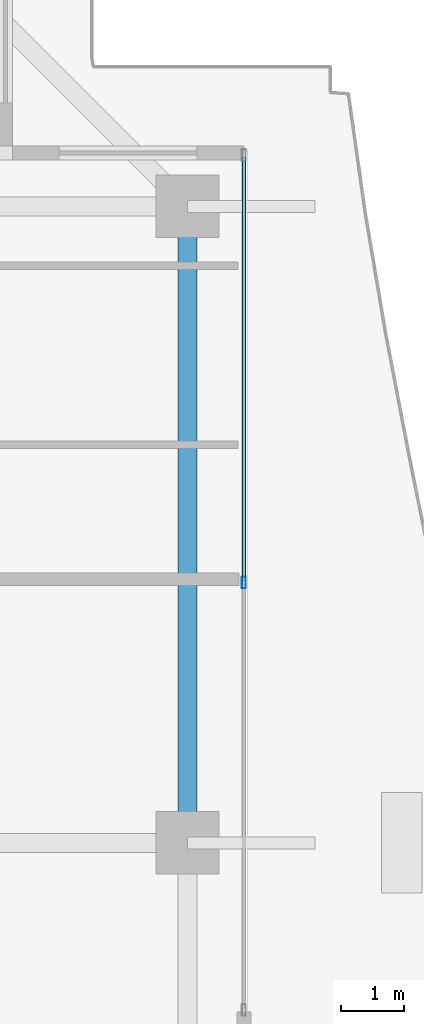
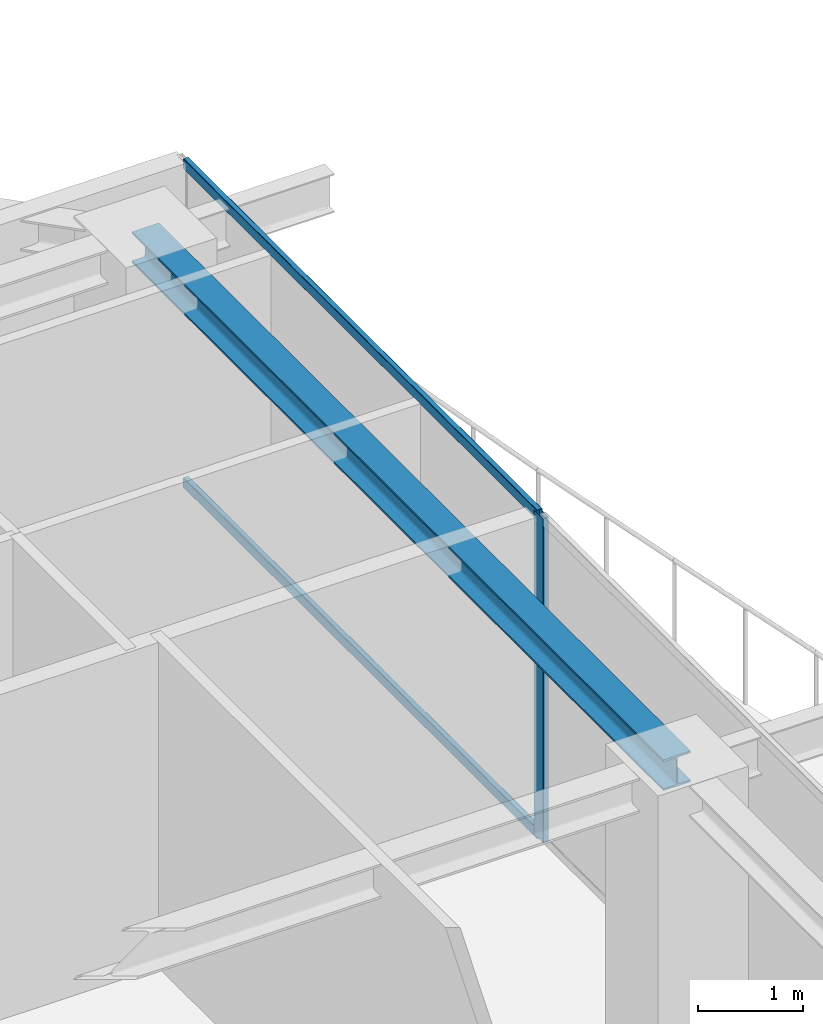
# One storey, part 25 of 41: 3 members, 1 beam, 1 element without a shape of its own.
"""IFC4 building model written with IfcOpenShell, lengths in metres."""

from ifc_helpers import new_model, si_unit, direction, frame, origin, origin_2d, place, context, subcontext, project, spatial, hollow_rectangle, i_section, extrude, source, transform, mapped, material, layer, layer_set, material_profile, profile_set, type_object, element, aggregate, save


model = new_model("IFC4")

# Units and contexts
model_context = context("Model", 3, precision=1e-05, world=origin(), true_north=direction((0.0, 1.0)))
body_context = subcontext(model_context, "Body", "Model", "MODEL_VIEW")
ifc_project = project(units=[si_unit("LENGTHUNIT", "METRE"), si_unit("AREAUNIT", "SQUARE_METRE"), si_unit("VOLUMEUNIT", "CUBIC_METRE"), si_unit("PLANEANGLEUNIT", "RADIAN"), si_unit("MASSUNIT", "GRAM", prefix="KILO")], contexts=[model_context])

# Site, building, storey
site_placement = place(None, origin())
site = spatial("IfcSite", under=ifc_project, at=site_placement, CompositionType="ELEMENT")
building_placement = place(site_placement, origin())
building = spatial("IfcBuilding", under=site, at=building_placement, Name="Serunith Strait Residences", CompositionType="ELEMENT")
storey_placement = place(building_placement, frame((0.0, 0.0, 301.550048828125)))
storey = spatial("IfcBuildingStorey", under=building, at=storey_placement, Name="L75", CompositionType="ELEMENT", Elevation=301.550048828125)

# Beam
ifc_material_1 = material(Name="Steel S355J2", Category="steel")
ifc_material_profile_1 = material_profile(ifc_material_1, i_section(OverallWidth=0.300048828125, OverallDepth=0.360107421875, WebThickness=0.012451171875, FlangeThickness=0.0224609375, FilletRadius=0.027099609375, at=origin_2d()), Name="HEB 360")
ifc_profile_set_1 = profile_set([ifc_material_profile_1], Name="Steel S355J2")
beam_type = type_object("IfcBeamType", Name="BM-HEB360", PredefinedType="BEAM", material=ifc_profile_set_1)
shared_shape_1 = source(origin(), body_context, "Body", "SweptSolid", [
    extrude(i_section(OverallWidth=0.300048828125, OverallDepth=0.360107421875, WebThickness=0.012451171875, FlangeThickness=0.0224609375, FilletRadius=0.027099609375, at=origin_2d()), origin(), (0.0, 0.0, 1.0), 10.150146484375),
])
beam_placement = place(storey_placement, frame((54.699951171875, 29.39990234375, 3.60693359375), z_axis=(0.0, 1.0, 0.0), x_axis=(-1.0, 0.0, 0.0)))
element("IfcBeam", 1, at=beam_placement, inside=storey, type_object=beam_type, Name="L75 Perimeter Ring Beam 07", PredefinedType="BEAM", context=body_context, shape_type="MappedRepresentation", body=[
    mapped(shared_shape_1, transform((0.0, 0.0, 0.0), scale=1.0)),
])

# Curtain wall, members
ifc_material_2 = material(Name="Brushed Stainless-Silver Aluminium", Category="aluminium")
ifc_layer = layer(ifc_material_2, 0.199951171875, Name="Brushed Stainless-Silver Aluminium")
ifc_layer_set = layer_set([ifc_layer], Name="Brushed Stainless-Silver Aluminium")
curtain_wall_type = type_object("IfcCurtainWallType", Name="CW-SYS5", PredefinedType="NOTDEFINED", material=ifc_layer_set)
curtain_wall_placement = place(storey_placement, origin())
curtain_wall = element("IfcCurtainWall", 2, at=curtain_wall_placement, inside=storey, type_object=curtain_wall_type, Name="L75 E Unitised Fritted Curtain Wall", PredefinedType="NOTDEFINED")
ifc_material_profile_2 = material_profile(ifc_material_2, hollow_rectangle(XDim=0.06005859375, YDim=0.1201171875, WallThickness=0.00341796875, InnerFilletRadius=0.00537109375, OuterFilletRadius=0.0087890625, at=origin_2d()), Name="ALU 120x60x3.5")
ifc_profile_set_2 = profile_set([ifc_material_profile_2], Name="Brushed Stainless-Silver Aluminium")
member_type_1 = type_object("IfcMemberType", Name="CW-SYS5-TRAN", PredefinedType="USERDEFINED", material=ifc_profile_set_2)
shared_shape_2 = source(origin(), body_context, "Body", "SweptSolid", [
    extrude(hollow_rectangle(XDim=0.06005859375, YDim=0.1201171875, WallThickness=0.00341796875, InnerFilletRadius=0.00537109375, OuterFilletRadius=0.0087890625, at=origin_2d()), origin(), (0.0, 0.0, 1.0), 6.75244140625),
])
member_1_placement = place(storey_placement, frame((55.60009765625, 33.58251953125, 0.030029296875), z_axis=(0.0, 1.0, 0.0), x_axis=(-1.0, 0.0, 0.0)))
member_1 = element("IfcMember", 3, at=member_1_placement, type_object=member_type_1, Name="CW-5 transom 2.1", ObjectType="TRANSOM", PredefinedType="USERDEFINED", context=body_context, shape_type="MappedRepresentation", body=[
    mapped(shared_shape_2, transform((0.0, 0.0, 0.0), scale=1.0)),
])
member_2_placement = place(storey_placement, frame((55.60009765625, 33.58251953125, 3.744873046875), z_axis=(0.0, 1.0, 0.0), x_axis=(-1.0, 0.0, 0.0)))
member_2 = element("IfcMember", 4, at=member_2_placement, type_object=member_type_1, Name="CW-5 transom 2.2", ObjectType="TRANSOM", PredefinedType="USERDEFINED", context=body_context, shape_type="MappedRepresentation", body=[
    mapped(shared_shape_2, transform((0.0, 0.0, 0.0), scale=1.0)),
])
ifc_material_profile_3 = material_profile(ifc_material_2, hollow_rectangle(XDim=0.06494140625, YDim=0.179931640625, WallThickness=0.00341796875, InnerFilletRadius=0.00537109375, OuterFilletRadius=0.0087890625, at=origin_2d()), Name="ALU 180x65x3.5")
ifc_profile_set_3 = profile_set([ifc_material_profile_3], Name="Brushed Stainless-Silver Aluminium")
member_type_2 = type_object("IfcMemberType", Name="CW-SYS5-MULL", PredefinedType="MULLION", material=ifc_profile_set_3)
shared_shape_3 = source(origin(), body_context, "Body", "SweptSolid", [
    extrude(hollow_rectangle(XDim=0.06494140625, YDim=0.179931640625, WallThickness=0.00341796875, InnerFilletRadius=0.00537109375, OuterFilletRadius=0.0087890625, at=origin_2d()), origin(), (0.0, 0.0, 1.0), 3.77490234375),
])
member_3_placement = place(storey_placement, frame((55.60009765625, 33.550048828125, 0.0), z_axis=(0.0, 0.0, 1.0), x_axis=(-1.0, 0.0, 0.0)))
member_3 = element("IfcMember", 5, at=member_3_placement, type_object=member_type_2, Name="CW-5 mullion 2", PredefinedType="MULLION", context=body_context, shape_type="MappedRepresentation", body=[
    mapped(shared_shape_3, transform((0.0, 0.0, 0.0), scale=1.0)),
])
aggregate(curtain_wall, [member_3, member_1, member_2])

save(model, "model.ifc")
